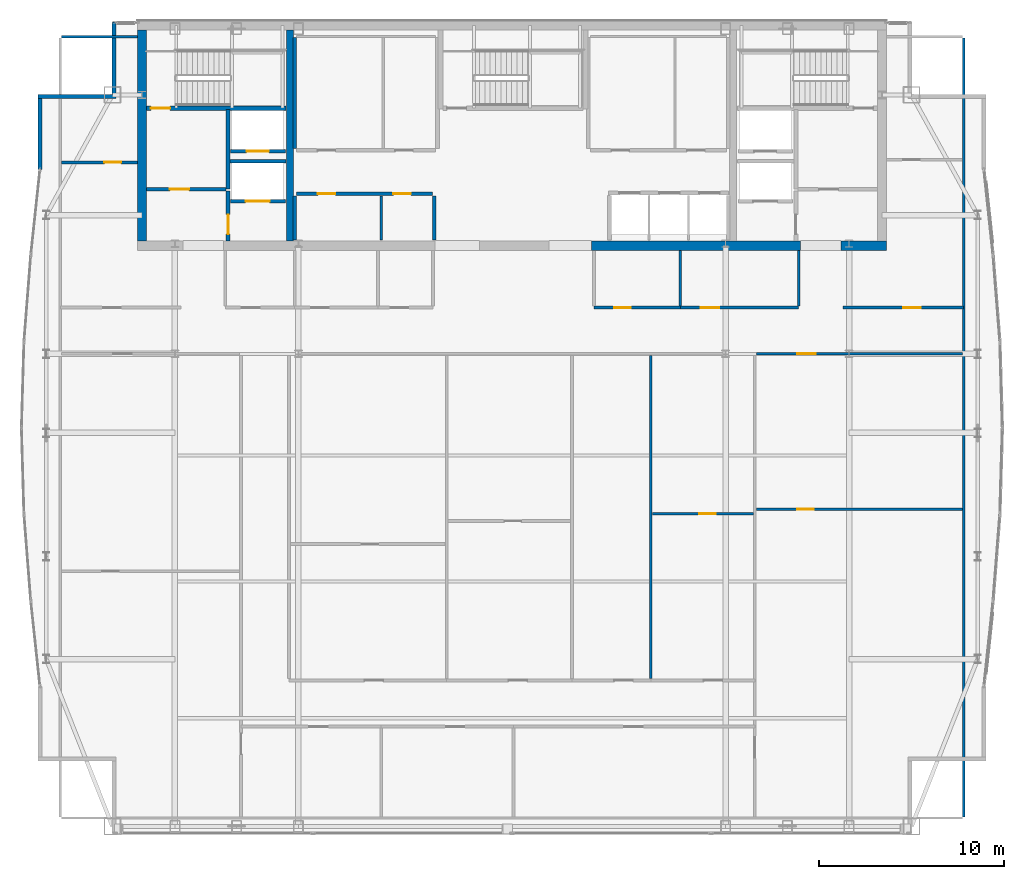
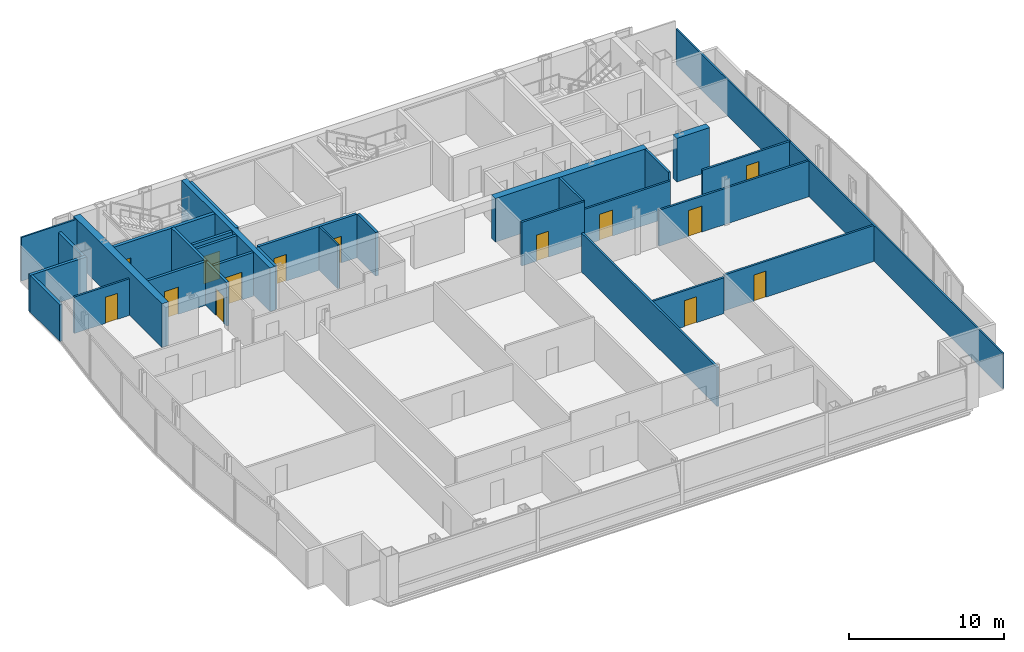
# One storey, part 23 of 27: 31 walls, 14 doors, 14 openings.
"""IFC4 building model written with IfcOpenShell, lengths in metres."""

from ifc_helpers import new_model, si_unit, direction, frame, frame_2d, origin, place, context, subcontext, project, spatial, rectangle, extrude, material, layer, layer_set, type_object, element, fill, save


model = new_model("IFC4")

# Units and contexts
model_context = context("Model", 3, precision=1e-05, world=origin(), true_north=direction((0.0, 1.0)))
body_context = subcontext(model_context, "Body", "Model", "MODEL_VIEW")
ifc_project = project(units=[si_unit("LENGTHUNIT", "METRE"), si_unit("AREAUNIT", "SQUARE_METRE"), si_unit("VOLUMEUNIT", "CUBIC_METRE"), si_unit("PLANEANGLEUNIT", "RADIAN"), si_unit("MASSUNIT", "GRAM", prefix="KILO")], contexts=[model_context])

# Site, building, storey
site_placement = place(None, origin())
site = spatial("IfcSite", under=ifc_project, at=site_placement, CompositionType="ELEMENT")
building_placement = place(site_placement, origin())
building = spatial("IfcBuilding", under=site, at=building_placement, Name="Khoronbel Lancet Exchange", CompositionType="ELEMENT")
storey_placement = place(building_placement, frame((0.0, 0.0, 343.39990234375)))
storey = spatial("IfcBuildingStorey", under=building, at=storey_placement, Name="L89", CompositionType="ELEMENT", Elevation=343.39990234375)

# Walls
ifc_material_1 = material(Name="Concrete C60/75", Category="concrete")
ifc_layer_1 = layer(ifc_material_1, 0.5, Name="Concrete C60/75")
ifc_layer_set_1 = layer_set([ifc_layer_1], Name="Concrete C60/75")
wall_type_1 = type_object("IfcWallType", Name="WL-CW4", PredefinedType="SHEAR", material=ifc_layer_set_1)
wall_1_placement = place(storey_placement, frame((16.449951171875, 41.800048828125, 0.0), z_axis=(0.0, 0.0, 1.0), x_axis=(0.0, 1.0, 0.0)))
element("IfcWall", 1, at=wall_1_placement, inside=storey, type_object=wall_type_1, Name="Level L89 rear core west shear wall", PredefinedType="SHEAR", context=body_context, shape_type="SweptSolid", body=[
    extrude(rectangle(XDim=11.39990234375, YDim=0.5, at=frame_2d((5.699951171875, 0.0))), origin(), (0.0, 0.0, 1.0), 3.440185546875),
])
wall_2_placement = place(storey_placement, frame((52.050048828125, 41.550048828125, 0.0), z_axis=(0.0, 0.0, 1.0), x_axis=(-1.0, 0.0, 0.0)))
element("IfcWall", 2, at=wall_2_placement, inside=storey, type_object=wall_type_1, Name="Level L89 rear core south shear wall pier P4", PredefinedType="SHEAR", context=body_context, shape_type="SweptSolid", body=[
    extrude(rectangle(XDim=11.300048828125, YDim=0.5, at=frame_2d((5.64990234375, 0.0))), origin(), (0.0, 0.0, 1.0), 3.440185546875),
])
wall_3_placement = place(storey_placement, frame((56.699951171875, 41.550048828125, 0.0), z_axis=(0.0, 0.0, 1.0), x_axis=(-1.0, 0.0, 0.0)))
element("IfcWall", 3, at=wall_3_placement, inside=storey, type_object=wall_type_1, Name="Level L89 rear core south shear wall pier P5", PredefinedType="SHEAR", context=body_context, shape_type="SweptSolid", body=[
    extrude(rectangle(XDim=2.449951171875, YDim=0.5, at=frame_2d((1.22509765625, 0.0))), origin(), (0.0, 0.0, 1.0), 3.440185546875),
])
ifc_material_2 = material(Name="Precast concrete C40/50", Category="concrete")
ifc_layer_2 = layer(ifc_material_2, 0.25, Name="Precast concrete C40/50")
ifc_layer_set_2 = layer_set([ifc_layer_2], Name="Precast concrete C40/50")
wall_type_2 = type_object("IfcWallType", Name="WL-EXT250", PredefinedType="SOLIDWALL", material=ifc_layer_set_2)
wall_4_placement = place(storey_placement, frame((10.93994140625, 45.67529296875, 0.0), z_axis=(0.0, 0.0, 1.0), x_axis=(0.0, 1.0, 0.0)))
element("IfcWall", 4, at=wall_4_placement, inside=storey, type_object=wall_type_2, Name="Level L89 notched-corner limestone pier 10", PredefinedType="SOLIDWALL", context=body_context, shape_type="SweptSolid", body=[
    extrude(rectangle(XDim=3.82470703125, YDim=0.219970703125, at=frame_2d((1.912353515625, 0.0))), origin(), (0.0, 0.0, 1.0), 2.880126953125),
])
wall_5_placement = place(storey_placement, frame((10.830078125, 49.610107421875, 0.0), z_axis=(0.0, 0.0, 1.0), x_axis=(1.0, 0.0, 0.0)))
element("IfcWall", 5, at=wall_5_placement, inside=storey, type_object=wall_type_2, Name="Level L89 notched-corner limestone pier 11", PredefinedType="SOLIDWALL", context=body_context, shape_type="SweptSolid", body=[
    extrude(rectangle(XDim=4.219970703125, YDim=0.219970703125, at=frame_2d((2.10986328125, 0.0))), origin(), (0.0, 0.0, 1.0), 2.880126953125),
])
wall_6_placement = place(storey_placement, frame((14.93994140625, 49.719970703125, 0.0), z_axis=(0.0, 0.0, 1.0), x_axis=(0.0, 1.0, 0.0)))
element("IfcWall", 6, at=wall_6_placement, inside=storey, type_object=wall_type_2, Name="Level L89 notched-corner limestone pier 12", PredefinedType="SOLIDWALL", context=body_context, shape_type="SweptSolid", body=[
    extrude(rectangle(XDim=3.909912109375, YDim=0.219970703125, at=frame_2d((1.955078125, 0.0))), origin(), (0.0, 0.0, 1.0), 2.880126953125),
])
ifc_material_3 = material(Name="Acoustic Metal-Stud & Mineral-Wool Gypsum Partition 120 mm", Category="gypsum")
ifc_layer_3 = layer(ifc_material_3, 0.1201171875, Name="Acoustic Metal-Stud & Mineral-Wool Gypsum Partition 120 mm")
ifc_layer_set_3 = layer_set([ifc_layer_3], Name="Acoustic Metal-Stud & Mineral-Wool Gypsum Partition 120 mm")
wall_type_3 = type_object("IfcWallType", Name="WL-PRT120", PredefinedType="PARTITIONING", material=ifc_layer_set_3)
for number, where, z_axis, x_axis, name in (
    (7, (45.550048828125, 38.280029296875, 0.0), (0.0, 0.0, 1.0), (0.0, 1.0, 0.0), "Level L89 interior partition PW-NP-M"),
    (8, (51.949951171875, 38.280029296875, 0.0), (0.0, 0.0, 1.0), (0.0, 1.0, 0.0), "Level L89 interior partition PW-NP-1"),
):
    element("IfcWall", number, at=place(storey_placement, frame(where, z_axis=z_axis, x_axis=x_axis)), inside=storey, type_object=wall_type_3, Name=name, PredefinedType="PARTITIONING", context=body_context, shape_type="SweptSolid", body=[
        extrude(rectangle(XDim=3.02001953125, YDim=0.14990234375, at=frame_2d((1.510009765625, 0.0))), origin(), (0.0, 0.0, 1.0), 3.440185546875),
    ])

# Wall, opening, door
wall_7_placement = place(storey_placement, frame((12.094970703125, 46.050048828125, 0.0), z_axis=(0.0, 0.0, 1.0), x_axis=(1.0, 0.0, 0.0)))
wall_7 = element("IfcWall", 9, at=wall_7_placement, inside=storey, type_object=wall_type_3, Name="Level L89 interior partition PW-NW-H", PredefinedType="PARTITIONING", context=body_context, shape_type="SweptSolid", body=[
    extrude(rectangle(XDim=4.10498046875, YDim=0.14990234375, at=frame_2d((2.052490234375, 0.0))), origin(), (0.0, 0.0, 1.0), 2.880126953125),
])
opening_1_placement = place(wall_7_placement, frame((2.320068359375, 0.0, 0.0)))
opening_1 = element("IfcOpeningElement", 10, at=opening_1_placement, cuts=wall_7, Name="Opening D5", PredefinedType="OPENING", context=body_context, shape_type="SweptSolid", body=[
    extrude(rectangle(XDim=0.89990234375, YDim=2.050048828125, at=frame_2d((0.449951171875, 1.02490234375))), frame((0.0, 0.0849609375, 0.0), z_axis=(0.0, -1.0, 0.0), x_axis=(1.0, 0.0, 0.0)), (0.0, 0.0, 1.0), 0.169921875),
])
ifc_material_4 = material(Name="Acoustic Timber Pantry & Support Door", Category="wood")
door_type_1 = type_object("IfcDoorType", Name="DR-D5", OperationType="NOTDEFINED", PredefinedType="DOOR", material=ifc_material_4)
door_1_placement = place(opening_1_placement, origin())
door_1 = element("IfcDoor", 11, at=door_1_placement, inside=storey, type_object=door_type_1, Name="NW north room door L89-1", OperationType="SINGLE_SWING_RIGHT", OverallHeight=2.050048828125, OverallWidth=0.89990234375, PredefinedType="DOOR", context=body_context, shape_type="SweptSolid", body=[
    extrude(rectangle(XDim=0.89990234375, YDim=2.050048828125, at=frame_2d((0.449951171875, 1.02490234375))), frame((0.0, 0.02490234375, 0.0), z_axis=(0.0, -1.0, 0.0), x_axis=(1.0, 0.0, 0.0)), (0.0, 0.0, 1.0), 0.050048828125),
])
fill(opening_1, door_1)

wall_8_placement = place(storey_placement, frame((49.659912109375, 27.300048828125, 0.0), z_axis=(0.0, 0.0, 1.0), x_axis=(1.0, 0.0, 0.0)))
wall_8 = element("IfcWall", 12, at=wall_8_placement, inside=storey, type_object=wall_type_3, Name="Level L89 interior partition PW-Z4-EH", PredefinedType="PARTITIONING", context=body_context, shape_type="SweptSolid", body=[
    extrude(rectangle(XDim=11.14501953125, YDim=0.14990234375, at=frame_2d((5.572509765625, 0.0))), origin(), (0.0, 0.0, 1.0), 2.830078125),
])
opening_2_placement = place(wall_8_placement, frame((2.199951171875, 0.0, 0.0)))
opening_2 = element("IfcOpeningElement", 13, at=opening_2_placement, cuts=wall_8, Name="Opening D5", PredefinedType="OPENING", context=body_context, shape_type="SweptSolid", body=[
    extrude(rectangle(XDim=0.89990234375, YDim=2.050048828125, at=frame_2d((0.449951171875, 1.02490234375))), frame((0.0, 0.0849609375, 0.0), z_axis=(0.0, -1.0, 0.0), x_axis=(1.0, 0.0, 0.0)), (0.0, 0.0, 1.0), 0.169921875),
])
door_2_placement = place(opening_2_placement, origin())
door_2 = element("IfcDoor", 14, at=door_2_placement, inside=storey, type_object=door_type_1, Name="East lens inner door L89-1", OperationType="SINGLE_SWING_LEFT", OverallHeight=2.050048828125, OverallWidth=0.89990234375, PredefinedType="DOOR", context=body_context, shape_type="SweptSolid", body=[
    extrude(rectangle(XDim=0.89990234375, YDim=2.050048828125, at=frame_2d((0.449951171875, 1.02490234375))), frame((0.0, 0.02490234375, 0.0), z_axis=(0.0, -1.0, 0.0), x_axis=(1.0, 0.0, 0.0)), (0.0, 0.0, 1.0), 0.050048828125),
])
fill(opening_2, door_2)

wall_9_placement = place(storey_placement, frame((44.0361328125, 27.0537109375, 0.0), z_axis=(0.0, 0.0, 1.0), x_axis=(1.0, 0.0, 0.0)))
wall_9 = element("IfcWall", 15, at=wall_9_placement, inside=storey, type_object=wall_type_3, Name="Level L89 interior partition PW-Z4C-H4", PredefinedType="PARTITIONING", context=body_context, shape_type="SweptSolid", body=[
    extrude(rectangle(XDim=5.4638671875, YDim=0.14990234375, at=frame_2d((2.73193359375, 0.0))), origin(), (0.0, 0.0, 1.0), 2.830078125),
])
opening_3_placement = place(wall_9_placement, frame((2.53076171875, 0.0, 0.0)))
opening_3 = element("IfcOpeningElement", 16, at=opening_3_placement, cuts=wall_9, Name="Opening D5", PredefinedType="OPENING", context=body_context, shape_type="SweptSolid", body=[
    extrude(rectangle(XDim=0.89990234375, YDim=2.050048828125, at=frame_2d((0.449951171875, 1.02490234375))), frame((0.0, 0.0849609375, 0.0), z_axis=(0.0, -1.0, 0.0), x_axis=(1.0, 0.0, 0.0)), (0.0, 0.0, 1.0), 0.169921875),
])
door_3_placement = place(opening_3_placement, origin())
door_3 = element("IfcDoor", 17, at=door_3_placement, inside=storey, type_object=door_type_1, Name="Z4C inner door 4 L89-1", OperationType="SINGLE_SWING_RIGHT", OverallHeight=2.050048828125, OverallWidth=0.89990234375, PredefinedType="DOOR", context=body_context, shape_type="SweptSolid", body=[
    extrude(rectangle(XDim=0.89990234375, YDim=2.050048828125, at=frame_2d((0.449951171875, 1.02490234375))), frame((0.0, 0.02490234375, 0.0), z_axis=(0.0, -1.0, 0.0), x_axis=(1.0, 0.0, 0.0)), (0.0, 0.0, 1.0), 0.050048828125),
])
fill(opening_3, door_3)

# Walls
wall_10_placement = place(storey_placement, frame((60.8701171875, 10.6650390625, 0.0), z_axis=(0.0, 0.0, 1.0), x_axis=(0.0, 1.0, 0.0)))
element("IfcWall", 18, at=wall_10_placement, inside=storey, type_object=wall_type_3, Name="Level L89 interior partition PW-LIN-E", PredefinedType="PARTITIONING", context=body_context, shape_type="SweptSolid", body=[
    extrude(rectangle(XDim=42.10986328125, YDim=0.1201171875, at=frame_2d((21.054931640625, 0.0))), origin(), (0.0, 0.0, 1.0), 2.830078125),
])
wall_11_placement = place(storey_placement, frame((12.094970703125, 52.840087890625, 0.0), z_axis=(0.0, 0.0, 1.0), x_axis=(1.0, 0.0, 0.0)))
element("IfcWall", 19, at=wall_11_placement, inside=storey, type_object=wall_type_3, Name="Level L89 interior partition PW-LIN-NW", PredefinedType="PARTITIONING", context=body_context, shape_type="SweptSolid", body=[
    extrude(rectangle(XDim=4.10498046875, YDim=0.1201171875, at=frame_2d((2.052490234375, 0.0))), origin(), (0.0, 0.0, 1.0), 3.440185546875),
])
ifc_material_5 = material(Name="Fire-Rated Metal-Stud & Mineral-Wool Gypsum Partition 120 mm", Category="gypsum")
ifc_layer_4 = layer(ifc_material_5, 0.1201171875, Name="Fire-Rated Metal-Stud & Mineral-Wool Gypsum Partition 120 mm")
ifc_layer_set_4 = layer_set([ifc_layer_4], Name="Fire-Rated Metal-Stud & Mineral-Wool Gypsum Partition 120 mm")
wall_type_4 = type_object("IfcWallType", Name="WL-PRT120F", PredefinedType="PARTITIONING", material=ifc_layer_set_4)
wall_12_placement = place(storey_placement, frame((29.381103515625, 41.85009765625, 0.0), z_axis=(0.0, 0.0, 1.0), x_axis=(0.0, 1.0, 0.0)))
element("IfcWall", 20, at=wall_12_placement, inside=storey, type_object=wall_type_4, Name="Level L89 interior partition CW-PM-RS2", PredefinedType="PARTITIONING", context=body_context, shape_type="SweptSolid", body=[
    extrude(rectangle(XDim=2.39501953125, YDim=0.1201171875, at=frame_2d((1.197509765625, 0.0))), origin(), (0.0, 0.0, 1.0), 3.440185546875),
])

# Wall, opening, door
ifc_material_6 = material(Name="Fire-Rated Twin-Stud Acoustic Gypsum Partition 150 mm", Category="gypsum")
ifc_layer_5 = layer(ifc_material_6, 0.14990234375, Name="Fire-Rated Twin-Stud Acoustic Gypsum Partition 150 mm")
ifc_layer_set_5 = layer_set([ifc_layer_5], Name="Fire-Rated Twin-Stud Acoustic Gypsum Partition 150 mm")
wall_type_5 = type_object("IfcWallType", Name="WL-PRT150C", PredefinedType="PARTITIONING", material=ifc_layer_set_5)
wall_13_placement = place(storey_placement, frame((40.8798828125, 38.199951171875, 0.0), z_axis=(0.0, 0.0, 1.0), x_axis=(1.0, 0.0, 0.0)))
wall_13 = element("IfcWall", 21, at=wall_13_placement, inside=storey, type_object=wall_type_5, Name="Level L89 interior partition PW-NP-S1", PredefinedType="PARTITIONING", context=body_context, shape_type="SweptSolid", body=[
    extrude(rectangle(XDim=4.670166015625, YDim=0.14990234375, at=frame_2d((2.3349609375, 0.0))), origin(), (0.0, 0.0, 1.0), 3.440185546875),
])
opening_4_placement = place(wall_13_placement, frame((1.10009765625, 0.0, 0.0)))
opening_4 = element("IfcOpeningElement", 22, at=opening_4_placement, cuts=wall_13, Name="Opening D5", PredefinedType="OPENING", context=body_context, shape_type="SweptSolid", body=[
    extrude(rectangle(XDim=0.89990234375, YDim=2.050048828125, at=frame_2d((0.449951171875, 1.02490234375))), frame((0.0, 0.0849609375, 0.0), z_axis=(0.0, -1.0, 0.0), x_axis=(1.0, 0.0, 0.0)), (0.0, 0.0, 1.0), 0.169921875),
])
door_4_placement = place(opening_4_placement, origin())
door_4 = element("IfcDoor", 23, at=door_4_placement, inside=storey, type_object=door_type_1, Name="Floor refreshment pantry door L89-1", OperationType="SINGLE_SWING_RIGHT", OverallHeight=2.050048828125, OverallWidth=0.89990234375, PredefinedType="DOOR", context=body_context, shape_type="SweptSolid", body=[
    extrude(rectangle(XDim=0.89990234375, YDim=2.050048828125, at=frame_2d((0.449951171875, 1.02490234375))), frame((0.0, 0.02490234375, 0.0), z_axis=(0.0, -1.0, 0.0), x_axis=(1.0, 0.0, 0.0)), (0.0, 0.0, 1.0), 0.050048828125),
])
fill(opening_4, door_4)

wall_14_placement = place(storey_placement, frame((45.550048828125, 38.199951171875, 0.0), z_axis=(0.0, 0.0, 1.0), x_axis=(1.0, 0.0, 0.0)))
wall_14 = element("IfcWall", 24, at=wall_14_placement, inside=storey, type_object=wall_type_5, Name="Level L89 interior partition PW-NP-S2", PredefinedType="PARTITIONING", context=body_context, shape_type="SweptSolid", body=[
    extrude(rectangle(XDim=6.39990234375, YDim=0.14990234375, at=frame_2d((3.199951171875, 0.0))), origin(), (0.0, 0.0, 1.0), 2.830078125),
])
opening_5_placement = place(wall_14_placement, frame((1.10009765625, 0.0, 0.0)))
opening_5 = element("IfcOpeningElement", 25, at=opening_5_placement, cuts=wall_14, Name="Opening D2", PredefinedType="OPENING", context=body_context, shape_type="SweptSolid", body=[
    extrude(rectangle(XDim=1.0, YDim=2.050048828125, at=frame_2d((0.5, 1.02490234375))), frame((0.0, 0.0849609375, 0.0), z_axis=(0.0, -1.0, 0.0), x_axis=(1.0, 0.0, 0.0)), (0.0, 0.0, 1.0), 0.169921875),
])
ifc_material_7 = material(Name="Acoustic Veneered Timber & Bronze Frame Door", Category="wood")
door_type_2 = type_object("IfcDoorType", Name="DR-D2", OperationType="NOTDEFINED", PredefinedType="DOOR", material=ifc_material_7)
door_5_placement = place(opening_5_placement, origin())
door_5 = element("IfcDoor", 26, at=door_5_placement, inside=storey, type_object=door_type_2, Name="Floor store door L89-1", OperationType="SINGLE_SWING_LEFT", OverallHeight=2.050048828125, OverallWidth=1.0, PredefinedType="DOOR", context=body_context, shape_type="SweptSolid", body=[
    extrude(rectangle(XDim=1.0, YDim=2.050048828125, at=frame_2d((0.5, 1.02490234375))), frame((0.0, 0.02490234375, 0.0), z_axis=(0.0, -1.0, 0.0), x_axis=(1.0, 0.0, 0.0)), (0.0, 0.0, 1.0), 0.050048828125),
])
fill(opening_5, door_5)

wall_15_placement = place(storey_placement, frame((54.35009765625, 38.199951171875, 0.0), z_axis=(0.0, 0.0, 1.0), x_axis=(1.0, 0.0, 0.0)))
wall_15 = element("IfcWall", 27, at=wall_15_placement, inside=storey, type_object=wall_type_5, Name="Level L89 interior partition PW-NE-S", PredefinedType="PARTITIONING", context=body_context, shape_type="SweptSolid", body=[
    extrude(rectangle(XDim=6.52001953125, YDim=0.14990234375, at=frame_2d((3.260009765625, 0.0))), origin(), (0.0, 0.0, 1.0), 2.830078125),
])
opening_6_placement = place(wall_15_placement, frame((3.25, 0.0, 0.0)))
opening_6 = element("IfcOpeningElement", 28, at=opening_6_placement, cuts=wall_15, Name="Opening D1", PredefinedType="OPENING", context=body_context, shape_type="SweptSolid", body=[
    extrude(rectangle(XDim=0.949951171875, YDim=2.050048828125, at=frame_2d((0.47509765625, 1.02490234375))), frame((0.0, 0.0849609375, 0.0), z_axis=(0.0, -1.0, 0.0), x_axis=(1.0, 0.0, 0.0)), (0.0, 0.0, 1.0), 0.169921875),
])
door_type_3 = type_object("IfcDoorType", Name="DR-D1", OperationType="NOTDEFINED", PredefinedType="DOOR", material=ifc_material_7)
door_6_placement = place(opening_6_placement, origin())
door_6 = element("IfcDoor", 29, at=door_6_placement, inside=storey, type_object=door_type_3, Name="NE corner room door L89-1", OperationType="SINGLE_SWING_LEFT", OverallHeight=2.050048828125, OverallWidth=0.949951171875, PredefinedType="DOOR", context=body_context, shape_type="SweptSolid", body=[
    extrude(rectangle(XDim=0.949951171875, YDim=2.050048828125, at=frame_2d((0.47509765625, 1.02490234375))), frame((0.0, 0.02490234375, 0.0), z_axis=(0.0, -1.0, 0.0), x_axis=(1.0, 0.0, 0.0)), (0.0, 0.0, 1.0), 0.050048828125),
])
fill(opening_6, door_6)

wall_16_placement = place(storey_placement, frame((49.659912109375, 35.699951171875, 0.0), z_axis=(0.0, 0.0, 1.0), x_axis=(1.0, 0.0, 0.0)))
wall_16 = element("IfcWall", 30, at=wall_16_placement, inside=storey, type_object=wall_type_5, Name="Level L89 interior partition PW-Z4-EN2", PredefinedType="PARTITIONING", context=body_context, shape_type="SweptSolid", body=[
    extrude(rectangle(XDim=11.14501953125, YDim=0.14990234375, at=frame_2d((5.572509765625, 0.0))), origin(), (0.0, 0.0, 1.0), 2.830078125),
])
opening_7_placement = place(wall_16_placement, frame((2.199951171875, 0.0, 0.0)))
opening_7 = element("IfcOpeningElement", 31, at=opening_7_placement, cuts=wall_16, Name="Opening D2", PredefinedType="OPENING", context=body_context, shape_type="SweptSolid", body=[
    extrude(rectangle(XDim=1.0, YDim=2.050048828125, at=frame_2d((0.5, 1.02490234375))), frame((0.0, 0.0849609375, 0.0), z_axis=(0.0, -1.0, 0.0), x_axis=(1.0, 0.0, 0.0)), (0.0, 0.0, 1.0), 0.169921875),
])
door_7_placement = place(opening_7_placement, origin())
door_7 = element("IfcDoor", 32, at=door_7_placement, inside=storey, type_object=door_type_2, Name="East lens north door L89-1", OperationType="SINGLE_SWING_RIGHT", OverallHeight=2.050048828125, OverallWidth=1.0, PredefinedType="DOOR", context=body_context, shape_type="SweptSolid", body=[
    extrude(rectangle(XDim=1.0, YDim=2.050048828125, at=frame_2d((0.5, 1.02490234375))), frame((0.0, 0.02490234375, 0.0), z_axis=(0.0, -1.0, 0.0), x_axis=(1.0, 0.0, 0.0)), (0.0, 0.0, 1.0), 0.050048828125),
])
fill(opening_7, door_7)

# Wall
wall_17_placement = place(storey_placement, frame((43.9560546875, 18.135009765625, 0.0), z_axis=(0.0, 0.0, 1.0), x_axis=(0.0, 1.0, 0.0)))
element("IfcWall", 33, at=wall_17_placement, inside=storey, type_object=wall_type_5, Name="Level L89 interior partition PW-Z4C-V3", PredefinedType="PARTITIONING", context=body_context, shape_type="SweptSolid", body=[
    extrude(rectangle(XDim=17.485107421875, YDim=0.14990234375, at=frame_2d((8.74267578125, 0.0))), origin(), (0.0, 0.0, 1.0), 3.070068359375),
])

# Wall, opening, door
ifc_material_8 = material(Name="Autoclaved Aerated Concrete Blockwork 200 mm", Category="masonry")
ifc_layer_6 = layer(ifc_material_8, 0.199951171875, Name="Autoclaved Aerated Concrete Blockwork 200 mm")
ifc_layer_set_6 = layer_set([ifc_layer_6], Name="Autoclaved Aerated Concrete Blockwork 200 mm")
wall_type_6 = type_object("IfcWallType", Name="WL-PRT200", PredefinedType="PARTITIONING", material=ifc_layer_set_6)
wall_18_placement = place(storey_placement, frame((24.2099609375, 43.949951171875, 0.0), z_axis=(0.0, 0.0, 1.0), x_axis=(-1.0, 0.0, 0.0)))
wall_18 = element("IfcWall", 34, at=wall_18_placement, inside=storey, type_object=wall_type_6, Name="Level L89 elevator hoistway landing front wall SVLW", PredefinedType="PARTITIONING", context=body_context, shape_type="SweptSolid", body=[
    extrude(rectangle(XDim=2.969970703125, YDim=0.199951171875, at=frame_2d((1.48486328125, 0.0))), origin(), (0.0, 0.0, 1.0), 3.440185546875),
])
opening_8_placement = place(wall_18_placement, frame((0.860107421875, 0.0, 0.0)))
opening_8 = element("IfcOpeningElement", 35, at=opening_8_placement, cuts=wall_18, Name="Opening LD-SVL1", PredefinedType="OPENING", context=body_context, shape_type="SweptSolid", body=[
    extrude(rectangle(XDim=1.300048828125, YDim=2.179931640625, at=frame_2d((0.64990234375, 1.08984375))), frame((0.0, 0.10986328125, 0.0), z_axis=(0.0, -1.0, 0.0), x_axis=(1.0, 0.0, 0.0)), (0.0, 0.0, 1.0), 0.219970703125),
])
ifc_material_9 = material(Name="Heavy-Duty Bi-Parting Goods Lift Landing Door", Category="steel")
door_type_4 = type_object("IfcDoorType", Name="DR-LD-SVL", OperationType="NOTDEFINED", PredefinedType="DOOR", material=ifc_material_9)
door_8_placement = place(opening_8_placement, origin())
door_8 = element("IfcDoor", 36, at=door_8_placement, inside=storey, type_object=door_type_4, Name="Elevator landing sliding door LD-SVL1 L89", OperationType="SLIDING_TO_LEFT", OverallHeight=2.179931640625, OverallWidth=1.300048828125, PredefinedType="DOOR", context=body_context, shape_type="SweptSolid", body=[
    extrude(rectangle(XDim=1.300048828125, YDim=2.179931640625, at=frame_2d((0.64990234375, 1.08984375))), frame((0.0, 0.02490234375, 0.0), z_axis=(0.0, -1.0, 0.0), x_axis=(1.0, 0.0, 0.0)), (0.0, 0.0, 1.0), 0.050048828125),
])
fill(opening_8, door_8)

wall_19_placement = place(storey_placement, frame((24.2099609375, 46.64990234375, 0.0), z_axis=(0.0, 0.0, 1.0), x_axis=(-1.0, 0.0, 0.0)))
wall_19 = element("IfcWall", 37, at=wall_19_placement, inside=storey, type_object=wall_type_6, Name="Level L89 elevator hoistway landing front wall FFLW", PredefinedType="PARTITIONING", context=body_context, shape_type="SweptSolid", body=[
    extrude(rectangle(XDim=2.969970703125, YDim=0.199951171875, at=frame_2d((1.48486328125, 0.0))), origin(), (0.0, 0.0, 1.0), 3.440185546875),
])
opening_9_placement = place(wall_19_placement, frame((0.909912109375, 0.0, 0.0)))
opening_9 = element("IfcOpeningElement", 38, at=opening_9_placement, cuts=wall_19, Name="Opening LD-FFL1", PredefinedType="OPENING", context=body_context, shape_type="SweptSolid", body=[
    extrude(rectangle(XDim=1.199951171875, YDim=2.179931640625, at=frame_2d((0.60009765625, 1.08984375))), frame((0.0, 0.10986328125, 0.0), z_axis=(0.0, -1.0, 0.0), x_axis=(1.0, 0.0, 0.0)), (0.0, 0.0, 1.0), 0.219970703125),
])
ifc_material_10 = material(Name="Fire-Rated Stainless Bi-Parting Firefighting Lift Door", Category="steel")
door_type_5 = type_object("IfcDoorType", Name="DR-LD-FFL", OperationType="NOTDEFINED", PredefinedType="DOOR", material=ifc_material_10)
door_9_placement = place(opening_9_placement, origin())
door_9 = element("IfcDoor", 39, at=door_9_placement, inside=storey, type_object=door_type_5, Name="Elevator landing sliding door LD-FFL1 L89", OperationType="SLIDING_TO_LEFT", OverallHeight=2.179931640625, OverallWidth=1.199951171875, PredefinedType="DOOR", context=body_context, shape_type="SweptSolid", body=[
    extrude(rectangle(XDim=1.199951171875, YDim=2.179931640625, at=frame_2d((0.60009765625, 1.08984375))), frame((0.0, 0.02490234375, 0.0), z_axis=(0.0, -1.0, 0.0), x_axis=(1.0, 0.0, 0.0)), (0.0, 0.0, 1.0), 0.050048828125),
])
fill(opening_9, door_9)

# Wall
wall_20_placement = place(storey_placement, frame((21.10009765625, 44.60009765625, 0.0), z_axis=(0.0, 0.0, 1.0), x_axis=(0.0, 1.0, 0.0)))
element("IfcWall", 40, at=wall_20_placement, inside=storey, type_object=wall_type_6, Name="Level L89 interior partition CW-FFLW-E", PredefinedType="PARTITIONING", context=body_context, shape_type="SweptSolid", body=[
    extrude(rectangle(XDim=4.2998046875, YDim=0.199951171875, at=frame_2d((2.14990234375, 0.0))), origin(), (0.0, 0.0, 1.0), 3.440185546875),
])

# Wall, opening, door
wall_21_placement = place(storey_placement, frame((16.699951171875, 44.60009765625, 0.0), z_axis=(0.0, 0.0, 1.0), x_axis=(1.0, 0.0, 0.0)))
wall_21 = element("IfcWall", 41, at=wall_21_placement, inside=storey, type_object=wall_type_6, Name="Level L89 interior partition CW-FFLW-S", PredefinedType="PARTITIONING", context=body_context, shape_type="SweptSolid", body=[
    extrude(rectangle(XDim=4.300048828125, YDim=0.199951171875, at=frame_2d((2.14990234375, 0.0))), origin(), (0.0, 0.0, 1.0), 3.440185546875),
])
opening_10_placement = place(wall_21_placement, frame((1.25, 0.0, 0.0)))
opening_10 = element("IfcOpeningElement", 42, at=opening_10_placement, cuts=wall_21, Name="Opening FD1", PredefinedType="OPENING", context=body_context, shape_type="SweptSolid", body=[
    extrude(rectangle(XDim=1.050048828125, YDim=2.14990234375, at=frame_2d((0.52490234375, 1.074951171875))), frame((0.0, 0.10986328125, 0.0), z_axis=(0.0, -1.0, 0.0), x_axis=(1.0, 0.0, 0.0)), (0.0, 0.0, 1.0), 0.219970703125),
])
ifc_material_11 = material(Name="Fire-Rated Painted Steel Door Assembly", Category="steel")
door_type_6 = type_object("IfcDoorType", Name="DR-FD1", OperationType="NOTDEFINED", PredefinedType="DOOR", material=ifc_material_11)
door_10_placement = place(opening_10_placement, origin())
door_10 = element("IfcDoor", 43, at=door_10_placement, inside=storey, type_object=door_type_6, Name="West firefighting lobby FD90S door L89-1", OperationType="SINGLE_SWING_LEFT", OverallHeight=2.14990234375, OverallWidth=1.050048828125, PredefinedType="DOOR", context=body_context, shape_type="SweptSolid", body=[
    extrude(rectangle(XDim=1.050048828125, YDim=2.14990234375, at=frame_2d((0.52490234375, 1.074951171875))), frame((0.0, 0.02490234375, 0.0), z_axis=(0.0, -1.0, 0.0), x_axis=(1.0, 0.0, 0.0)), (0.0, 0.0, 1.0), 0.050048828125),
])
fill(opening_10, door_10)

# Wall
wall_22_placement = place(storey_placement, frame((21.199951171875, 46.1201171875, 0.0), z_axis=(0.0, 0.0, 1.0), x_axis=(1.0, 0.0, 0.0)))
element("IfcWall", 44, at=wall_22_placement, inside=storey, type_object=wall_type_6, Name="Level L89 interior partition CW-FFL1-S", PredefinedType="PARTITIONING", context=body_context, shape_type="SweptSolid", body=[
    extrude(rectangle(XDim=3.02001953125, YDim=0.199951171875, at=frame_2d((1.510009765625, 0.0))), origin(), (0.0, 0.0, 1.0), 3.440185546875),
])

# Wall, opening, door
wall_23_placement = place(storey_placement, frame((21.10009765625, 41.800048828125, 0.0), z_axis=(0.0, 0.0, 1.0), x_axis=(0.0, 1.0, 0.0)))
wall_23 = element("IfcWall", 45, at=wall_23_placement, inside=storey, type_object=wall_type_6, Name="Level L89 interior partition CW-SVLW-W", PredefinedType="PARTITIONING", context=body_context, shape_type="SweptSolid", body=[
    extrude(rectangle(XDim=2.695068359375, YDim=0.199951171875, at=frame_2d((1.34765625, 0.0))), origin(), (0.0, 0.0, 1.0), 3.440185546875),
])
opening_11_placement = place(wall_23_placement, frame((0.3798828125, 0.0, 0.0)))
opening_11 = element("IfcOpeningElement", 46, at=opening_11_placement, cuts=wall_23, Name="Opening FD1", PredefinedType="OPENING", context=body_context, shape_type="SweptSolid", body=[
    extrude(rectangle(XDim=1.050048828125, YDim=2.14990234375, at=frame_2d((0.52490234375, 1.074951171875))), frame((0.0, 0.10986328125, 0.0), z_axis=(0.0, -1.0, 0.0), x_axis=(1.0, 0.0, 0.0)), (0.0, 0.0, 1.0), 0.219970703125),
])
door_11_placement = place(opening_11_placement, origin())
door_11 = element("IfcDoor", 47, at=door_11_placement, inside=storey, type_object=door_type_6, Name="West service lift lobby door L89-1", OperationType="SINGLE_SWING_RIGHT", OverallHeight=2.14990234375, OverallWidth=1.050048828125, PredefinedType="DOOR", context=body_context, shape_type="SweptSolid", body=[
    extrude(rectangle(XDim=1.050048828125, YDim=2.14990234375, at=frame_2d((0.52490234375, 1.074951171875))), frame((0.0, 0.02490234375, 0.0), z_axis=(0.0, -1.0, 0.0), x_axis=(1.0, 0.0, 0.0)), (0.0, 0.0, 1.0), 0.050048828125),
])
fill(opening_11, door_11)

# Walls
wall_24_placement = place(storey_placement, frame((24.699951171875, 46.804931640625, 0.0), z_axis=(0.0, 0.0, 1.0), x_axis=(0.0, 1.0, 0.0)))
element("IfcWall", 48, at=wall_24_placement, inside=storey, type_object=wall_type_6, Name="Level L89 interior partition CW-PL-RW", PredefinedType="PARTITIONING", context=body_context, shape_type="SweptSolid", body=[
    extrude(rectangle(XDim=5.989990234375, YDim=0.199951171875, at=frame_2d((2.9951171875, 0.0))), origin(), (0.0, 0.0, 1.0), 3.440185546875),
])
for number, where, z_axis, x_axis, name in (
    (49, (24.699951171875, 41.85009765625, 0.0), (0.0, 0.0, 1.0), (0.0, 1.0, 0.0), "Level L89 interior partition CW-PM-RW"),
    (50, (32.25, 41.85009765625, 0.0), (0.0, 0.0, 1.0), (0.0, 1.0, 0.0), "Level L89 interior partition CW-PM-RE"),
):
    element("IfcWall", number, at=place(storey_placement, frame(where, z_axis=z_axis, x_axis=x_axis)), inside=storey, type_object=wall_type_6, Name=name, PredefinedType="PARTITIONING", context=body_context, shape_type="SweptSolid", body=[
        extrude(rectangle(XDim=2.39501953125, YDim=0.199951171875, at=frame_2d((1.197509765625, 0.0))), origin(), (0.0, 0.0, 1.0), 3.440185546875),
    ])

# Wall, openings, doors
wall_25_placement = place(storey_placement, frame((24.804931640625, 44.35009765625, 0.0), z_axis=(0.0, 0.0, 1.0), x_axis=(1.0, 0.0, 0.0)))
wall_25 = element("IfcWall", 51, at=wall_25_placement, inside=storey, type_object=wall_type_6, Name="Level L89 interior partition CW-PM-RF", PredefinedType="PARTITIONING", context=body_context, shape_type="SweptSolid", body=[
    extrude(rectangle(XDim=7.340087890625, YDim=0.199951171875, at=frame_2d((3.669921875, 0.0))), origin(), (0.0, 0.0, 1.0), 3.440185546875),
])
opening_12_placement = place(wall_25_placement, frame((1.14990234375, 0.0, 0.0)))
opening_12 = element("IfcOpeningElement", 52, at=opening_12_placement, cuts=wall_25, Name="Opening FD3", PredefinedType="OPENING", context=body_context, shape_type="SweptSolid", body=[
    extrude(rectangle(XDim=0.949951171875, YDim=2.10009765625, at=frame_2d((0.47509765625, 1.050048828125))), frame((0.0, 0.10986328125, 0.0), z_axis=(0.0, -1.0, 0.0), x_axis=(1.0, 0.0, 0.0)), (0.0, 0.0, 1.0), 0.219970703125),
])
opening_13_placement = place(wall_25_placement, frame((5.23095703125, 0.0, 0.0)))
opening_13 = element("IfcOpeningElement", 53, at=opening_13_placement, cuts=wall_25, Name="Opening FD3", PredefinedType="OPENING", context=body_context, shape_type="SweptSolid", body=[
    extrude(rectangle(XDim=0.949951171875, YDim=2.10009765625, at=frame_2d((0.47509765625, 1.050048828125))), frame((0.0, 0.10986328125, 0.0), z_axis=(0.0, -1.0, 0.0), x_axis=(1.0, 0.0, 0.0)), (0.0, 0.0, 1.0), 0.219970703125),
])
ifc_material_12 = material(Name="Fire-Rated Steel Plant & Riser Door Assembly", Category="steel")
door_type_7 = type_object("IfcDoorType", Name="DR-FD3", OperationType="NOTDEFINED", PredefinedType="DOOR", material=ifc_material_12)
door_12_placement = place(opening_12_placement, origin())
door_12 = element("IfcDoor", 54, at=door_12_placement, inside=storey, type_object=door_type_7, Name="Reclaimed PM C door L89-1", OperationType="SINGLE_SWING_LEFT", OverallHeight=2.10009765625, OverallWidth=0.949951171875, PredefinedType="DOOR", context=body_context, shape_type="SweptSolid", body=[
    extrude(rectangle(XDim=0.949951171875, YDim=2.10009765625, at=frame_2d((0.47509765625, 1.050048828125))), frame((0.0, 0.02490234375, 0.0), z_axis=(0.0, -1.0, 0.0), x_axis=(1.0, 0.0, 0.0)), (0.0, 0.0, 1.0), 0.050048828125),
])
fill(opening_12, door_12)
door_13_placement = place(opening_13_placement, origin())
door_13 = element("IfcDoor", 55, at=door_13_placement, inside=storey, type_object=door_type_7, Name="Reclaimed PM D door L89-2", OperationType="SINGLE_SWING_RIGHT", OverallHeight=2.10009765625, OverallWidth=0.949951171875, PredefinedType="DOOR", context=body_context, shape_type="SweptSolid", body=[
    extrude(rectangle(XDim=0.949951171875, YDim=2.10009765625, at=frame_2d((0.47509765625, 1.050048828125))), frame((0.0, 0.02490234375, 0.0), z_axis=(0.0, -1.0, 0.0), x_axis=(1.0, 0.0, 0.0)), (0.0, 0.0, 1.0), 0.050048828125),
])
fill(opening_13, door_13)

# Wall
ifc_layer_7 = layer(ifc_material_1, 0.39990234375, Name="Concrete C60/75")
ifc_layer_set_7 = layer_set([ifc_layer_7], Name="Concrete C60/75")
wall_type_7 = type_object("IfcWallType", Name="WL-SW2", PredefinedType="SHEAR", material=ifc_layer_set_7)
wall_26_placement = place(storey_placement, frame((24.449951171875, 41.800048828125, 0.0), z_axis=(0.0, 0.0, 1.0), x_axis=(0.0, 1.0, 0.0)))
element("IfcWall", 56, at=wall_26_placement, inside=storey, type_object=wall_type_7, Name="Level L89 rear core internal spine shear wall IW", PredefinedType="SHEAR", context=body_context, shape_type="SweptSolid", body=[
    extrude(rectangle(XDim=11.39990234375, YDim=0.39990234375, at=frame_2d((5.699951171875, 0.0))), origin(), (0.0, 0.0, 1.0), 3.440185546875),
])

# Wall, opening, door
ifc_layer_8 = layer(ifc_material_1, 0.260009765625, Name="Concrete C60/75")
ifc_layer_set_8 = layer_set([ifc_layer_8], Name="Concrete C60/75")
wall_type_8 = type_object("IfcWallType", Name="WL-SW3", PredefinedType="SHEAR", material=ifc_layer_set_8)
wall_27_placement = place(storey_placement, frame((16.699951171875, 48.97998046875, 0.0), z_axis=(0.0, 0.0, 1.0), x_axis=(1.0, 0.0, 0.0)))
wall_27 = element("IfcWall", 57, at=wall_27_placement, inside=storey, type_object=wall_type_8, Name="Level L89 west stairwell structural south wall", PredefinedType="SHEAR", context=body_context, shape_type="SweptSolid", body=[
    extrude(rectangle(XDim=7.52001953125, YDim=0.239990234375, at=frame_2d((3.760009765625, 0.0))), origin(), (0.0, 0.0, 1.0), 3.440185546875),
])
opening_14_placement = place(wall_27_placement, frame((0.219970703125, 0.0, 0.0)))
opening_14 = element("IfcOpeningElement", 58, at=opening_14_placement, cuts=wall_27, Name="Opening SD1", PredefinedType="OPENING", context=body_context, shape_type="SweptSolid", body=[
    extrude(rectangle(XDim=1.050048828125, YDim=2.14990234375, at=frame_2d((0.52490234375, 1.074951171875))), frame((0.0, 0.1298828125, 0.0), z_axis=(0.0, -1.0, 0.0), x_axis=(1.0, 0.0, 0.0)), (0.0, 0.0, 1.0), 0.260009765625),
])
ifc_material_13 = material(Name="Fire-Rated Steel Stairwell Door Assembly", Category="steel")
door_type_8 = type_object("IfcDoorType", Name="DR-SD1", OperationType="NOTDEFINED", PredefinedType="DOOR", material=ifc_material_13)
door_14_placement = place(opening_14_placement, origin())
door_14 = element("IfcDoor", 59, at=door_14_placement, inside=storey, type_object=door_type_8, Name="Protected exit stair ST1 door L89", OperationType="SINGLE_SWING_LEFT", OverallHeight=2.14990234375, OverallWidth=1.050048828125, PredefinedType="DOOR", context=body_context, shape_type="SweptSolid", body=[
    extrude(rectangle(XDim=1.050048828125, YDim=2.14990234375, at=frame_2d((0.52490234375, 1.074951171875))), frame((0.0, 0.02490234375, 0.0), z_axis=(0.0, -1.0, 0.0), x_axis=(1.0, 0.0, 0.0)), (0.0, 0.0, 1.0), 0.050048828125),
])
fill(opening_14, door_14)

save(model, "model.ifc")
